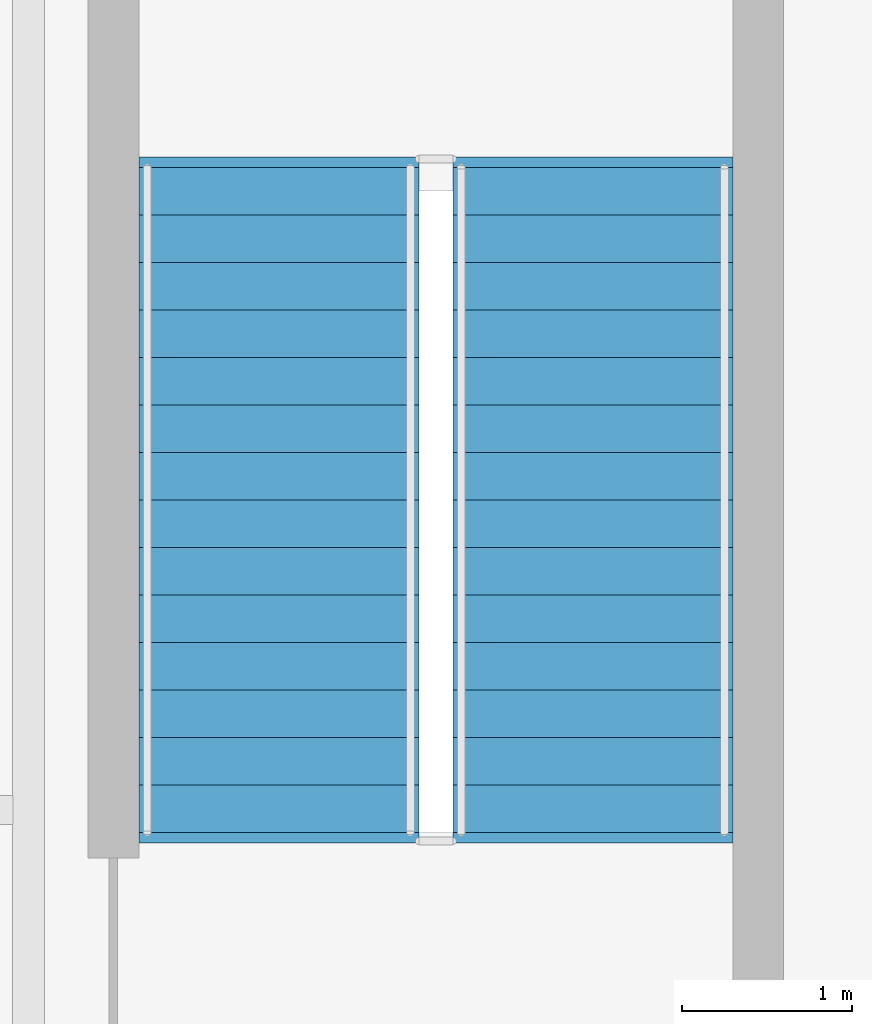
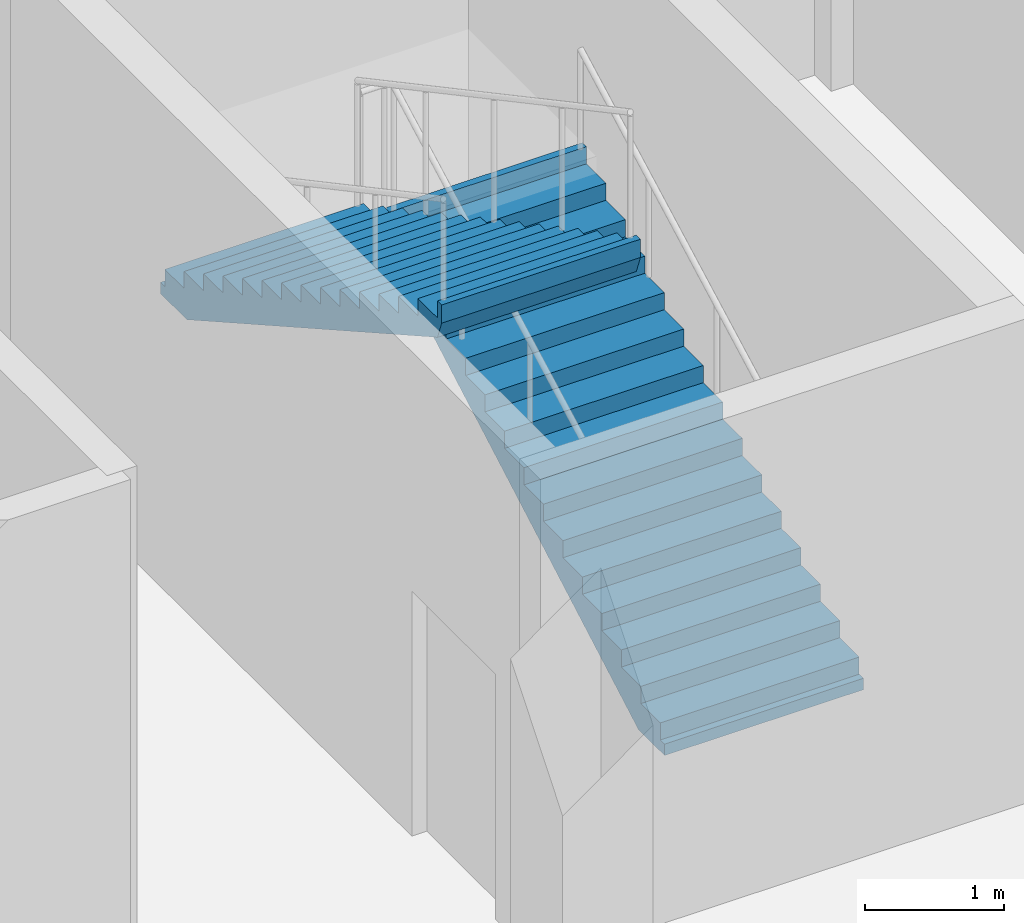
# One storey, part 155 of 183: 2 stair flights, 1 element without a shape of its own.
"""IFC4 building model written with IfcOpenShell, lengths in metres."""

from ifc_helpers import new_model, si_unit, direction, frame, origin, place, context, subcontext, project, spatial, polyline, outline, extrude, material, type_object, element, aggregate, save


model = new_model("IFC4")

# Units and contexts
model_context = context("Model", 3, precision=1e-05, world=origin(), true_north=direction((0.0, 1.0)))
body_context = subcontext(model_context, "Body", "Model", "MODEL_VIEW")
ifc_project = project(units=[si_unit("LENGTHUNIT", "METRE"), si_unit("AREAUNIT", "SQUARE_METRE"), si_unit("VOLUMEUNIT", "CUBIC_METRE"), si_unit("PLANEANGLEUNIT", "RADIAN"), si_unit("MASSUNIT", "GRAM", prefix="KILO")], contexts=[model_context])

# Site, building, storey
site_placement = place(None, origin())
site = spatial("IfcSite", under=ifc_project, at=site_placement, CompositionType="ELEMENT")
building_placement = place(site_placement, origin())
building = spatial("IfcBuilding", under=site, at=building_placement, Name="Luwemba Playhouse", CompositionType="ELEMENT")
storey_placement = place(building_placement, frame((0.0, 0.0, 4.800048828125)))
storey = spatial("IfcBuildingStorey", under=building, at=storey_placement, Name="L01", CompositionType="ELEMENT", Elevation=4.800048828125)

# Stair, stair flights
ifc_material = material(Name="Concrete C40/50", Category="concrete")
stair_type = type_object("IfcStairType", Name="STR-DL-04", PredefinedType="HALF_TURN_STAIR", material=ifc_material)
stair_placement = place(storey_placement, origin())
stair = element("IfcStair", 1, at=stair_placement, inside=storey, type_object=stair_type, Name="L01 Conservatory East Escape Stair", PredefinedType="HALF_TURN_STAIR")
stair_flight_type = type_object("IfcStairFlightType", Name="SFL-DL-04", PredefinedType="STRAIGHT", material=ifc_material)
stair_flight_1_placement = place(storey_placement, frame((167.324951171875, 108.199951171875, 0.0), z_axis=(0.0, 0.0, 1.0), x_axis=(0.0, 1.0, 0.0)))
stair_flight_1 = element("IfcStairFlight", 2, at=stair_flight_1_placement, type_object=stair_flight_type, Name="ST-10 flight 1", NumberOfRisers=15, NumberOfTreads=14, PredefinedType="STRAIGHT", RiserHeight=0.15, TreadLength=0.28, context=body_context, shape_type="SweptSolid", body=[
    extrude(outline(polyline([(-0.06005859375, -0.10009765625), (-0.06005859375, 0.0), (0.0, 0.0), (0.0, 0.14990234375), (0.280029296875, 0.14990234375), (0.280029296875, 0.300048828125), (0.56005859375, 0.300048828125), (0.56005859375, 0.449951171875), (0.840087890625, 0.449951171875), (0.840087890625, 0.60009765625), (1.1201171875, 0.60009765625), (1.1201171875, 0.75), (1.39990234375, 0.75), (1.39990234375, 0.89990234375), (1.679931640625, 0.89990234375), (1.679931640625, 1.050048828125), (1.9599609375, 1.050048828125), (1.9599609375, 1.199951171875), (2.239990234375, 1.199951171875), (2.239990234375, 1.35009765625), (2.52001953125, 1.35009765625), (2.52001953125, 1.5), (2.800048828125, 1.5), (2.800048828125, 1.64990234375), (3.080078125, 1.64990234375), (3.080078125, 1.800048828125), (3.360107421875, 1.800048828125), (3.360107421875, 1.949951171875), (3.639892578125, 1.949951171875), (3.639892578125, 2.10009765625), (3.919921875, 2.10009765625), (3.919921875, 2.25), (3.97998046875, 2.25), (3.97998046875, 2.090087890625), (3.919921875, 1.929931640625), (0.3173828125, -0.10009765625), (-0.06005859375, -0.10009765625)])), frame((0.0, 0.824951171875, 0.0), z_axis=(0.0, -1.0, 0.0), x_axis=(1.0, 0.0, 0.0)), (0.0, 0.0, 1.0), 1.64990234375),
])
stair_flight_2_placement = place(storey_placement, frame((165.47509765625, 112.1201171875, 2.25), z_axis=(0.0, 0.0, 1.0), x_axis=(0.0, -1.0, 0.0)))
stair_flight_2 = element("IfcStairFlight", 3, at=stair_flight_2_placement, type_object=stair_flight_type, Name="ST-10 flight 2", NumberOfRisers=15, NumberOfTreads=14, PredefinedType="STRAIGHT", RiserHeight=0.15, TreadLength=0.28, context=body_context, shape_type="SweptSolid", body=[
    extrude(outline(polyline([(-0.06005859375, -0.10009765625), (-0.06005859375, 0.0), (0.0, 0.0), (0.0, 0.14990234375), (0.280029296875, 0.14990234375), (0.280029296875, 0.300048828125), (0.56005859375, 0.300048828125), (0.56005859375, 0.449951171875), (0.840087890625, 0.449951171875), (0.840087890625, 0.60009765625), (1.1201171875, 0.60009765625), (1.1201171875, 0.75), (1.39990234375, 0.75), (1.39990234375, 0.89990234375), (1.679931640625, 0.89990234375), (1.679931640625, 1.050048828125), (1.9599609375, 1.050048828125), (1.9599609375, 1.199951171875), (2.239990234375, 1.199951171875), (2.239990234375, 1.35009765625), (2.52001953125, 1.35009765625), (2.52001953125, 1.5), (2.800048828125, 1.5), (2.800048828125, 1.64990234375), (3.080078125, 1.64990234375), (3.080078125, 1.800048828125), (3.360107421875, 1.800048828125), (3.360107421875, 1.949951171875), (3.639892578125, 1.949951171875), (3.639892578125, 2.10009765625), (3.919921875, 2.10009765625), (3.919921875, 2.25), (3.97998046875, 2.25), (3.97998046875, 2.090087890625), (3.919921875, 1.929931640625), (0.3173828125, -0.10009765625), (-0.06005859375, -0.10009765625)])), frame((0.0, 0.824951171875, 0.0), z_axis=(0.0, -1.0, 0.0), x_axis=(1.0, 0.0, 0.0)), (0.0, 0.0, 1.0), 1.64990234375),
])
aggregate(stair, [stair_flight_1, stair_flight_2])

save(model, "model.ifc")
